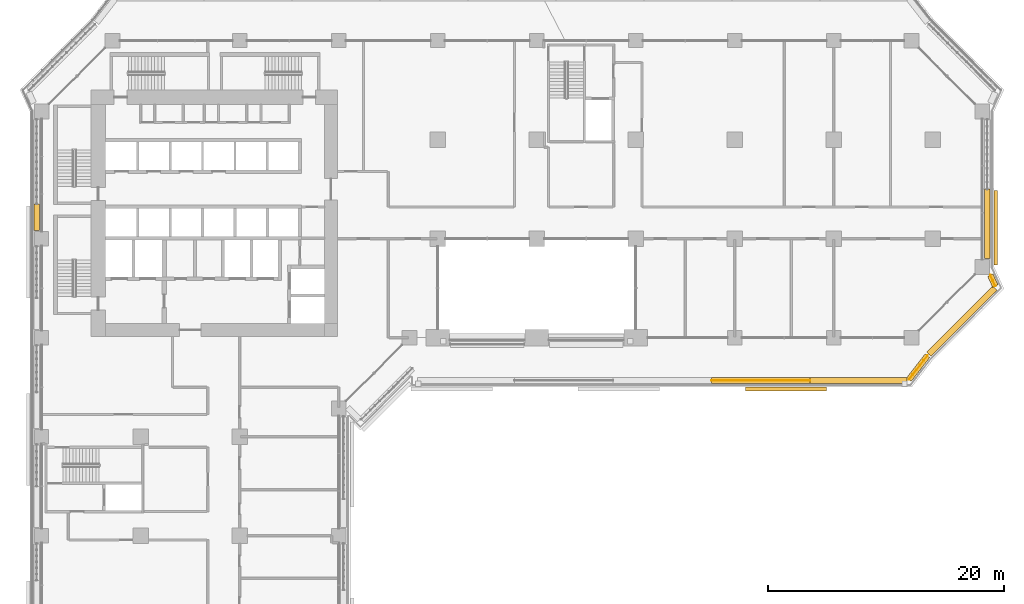
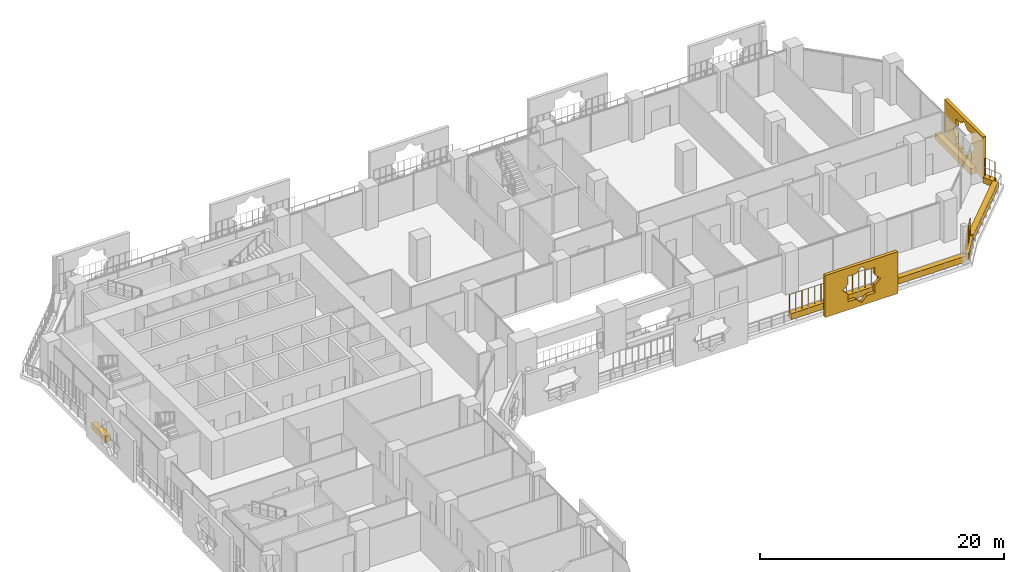
# One storey, part 25 of 28: 9 coverings, 3 railings.
"""IFC4 building model written with IfcOpenShell, lengths in metres."""

import ifcopenshell
import ifcopenshell.guid

model = None  # the IFC model being written
_history = None  # IfcOwnerHistory: only IFC2X3 demands one
_inside = {}  # id of a spatial element -> (the spatial element, [elements in it])
_under = {}  # id of a project, library or spatial element -> (it, [spatial elements below it])
_declared = {}  # id of a project -> (the project, [libraries it declares])
_typed = {}  # id of a type object -> (the type object, [elements of that type])
_made_of = {}  # id of a material, layer set ... -> (it, [elements and type objects made of it])


def new_model(schema):
    """Start an empty IFC model of exactly this schema.

    Asked for "IFC4X3", IfcOpenShell would pick the latest addendum, in which some entities
    have other attributes; the version numbers below select the first issue.
    IFC2X3 requires an IfcOwnerHistory on every rooted entity: one is made here for all.
    """
    global model, _history
    if schema == "IFC4X3":
        model = ifcopenshell.file(schema_version=(4, 3, 0, 0))
    else:
        model = ifcopenshell.file(schema=schema)
    _inside.clear()
    _under.clear()
    _declared.clear()
    _typed.clear()
    _made_of.clear()
    _history = None
    if model.schema == "IFC2X3":
        org = make("IfcOrganization", Name="unknown")
        user = make(
            "IfcPersonAndOrganization",
            ThePerson=make("IfcPerson", FamilyName="unknown"),
            TheOrganization=org,
        )
        app = make(
            "IfcApplication",
            ApplicationDeveloper=org,
            Version="unknown",
            ApplicationFullName="unknown",
            ApplicationIdentifier="unknown",
        )
        _history = make(
            "IfcOwnerHistory",
            OwningUser=user,
            OwningApplication=app,
            ChangeAction="ADDED",
            CreationDate=0,
        )
    return model


def make(cls, **values):
    """One entity of the class cls with the attributes given. An attribute that is None is left unset."""
    return model.create_entity(
        cls, **{name: value for name, value in values.items() if value is not None}
    )


def rooted(cls, **values):
    """An entity with a GlobalId (a new one), such as an element, a storey or a relation."""
    return make(cls, GlobalId=ifcopenshell.guid.new(), OwnerHistory=_history, **values)


def si_unit(unit_type, name, prefix=None):
    """IfcSIUnit, for example si_unit("LENGTHUNIT", "METRE", prefix="MILLI")."""
    return make("IfcSIUnit", UnitType=unit_type, Prefix=prefix, Name=name)


def assignment(units):
    """IfcUnitAssignment: the units of a project."""
    return None if units is None else make("IfcUnitAssignment", Units=units)


def point(xyz):
    """IfcCartesianPoint."""
    return None if xyz is None else make("IfcCartesianPoint", Coordinates=xyz)


def direction(xyz):
    """IfcDirection."""
    return None if xyz is None else make("IfcDirection", DirectionRatios=xyz)


def frame(location, z_axis=None, x_axis=None):
    """IfcAxis2Placement3D, a coordinate frame: its origin and axes. An axis left out is left unset."""
    return make(
        "IfcAxis2Placement3D",
        Location=point(location),
        Axis=direction(z_axis),
        RefDirection=direction(x_axis),
    )


def frame_2d(location, x_axis=None):
    """IfcAxis2Placement2D, a coordinate frame in the plane: its origin and x axis."""
    return make(
        "IfcAxis2Placement2D", Location=point(location), RefDirection=direction(x_axis)
    )


def origin():
    """The frame at (0, 0, 0) with its axes left unset."""
    return frame((0.0, 0.0, 0.0))


def origin_2d():
    """The frame at (0, 0) in the plane with its x axis left unset."""
    return frame_2d((0.0, 0.0))


def place(relative_to, where):
    """IfcLocalPlacement: puts the frame where relative to a parent placement (None: the world)."""
    return make(
        "IfcLocalPlacement", PlacementRelTo=relative_to, RelativePlacement=where
    )


def context(
    kind, dimensions, precision=None, world=None, true_north=None, identifier=None
):
    """IfcGeometricRepresentationContext, for example the 3D "Model" context."""
    return make(
        "IfcGeometricRepresentationContext",
        ContextIdentifier=identifier,
        ContextType=kind,
        CoordinateSpaceDimension=dimensions,
        Precision=precision,
        WorldCoordinateSystem=world,
        TrueNorth=true_north,
    )


def subcontext(parent, identifier, kind, view, scale=None):
    """IfcGeometricRepresentationSubContext, for example "Body" below "Model"."""
    return make(
        "IfcGeometricRepresentationSubContext",
        ContextIdentifier=identifier,
        ContextType=kind,
        ParentContext=parent,
        TargetScale=scale,
        TargetView=view,
    )


def project(units=None, contexts=None):
    """IfcProject with its units and contexts."""
    return rooted(
        "IfcProject",
        Name="project",
        RepresentationContexts=contexts,
        UnitsInContext=assignment(units),
    )


def spatial(cls, under=None, at=None, **own):
    """A site, building, storey or space (cls), placed at a placement, below another one or the project."""
    s = rooted(cls, ObjectPlacement=at, **own)
    if under is not None:
        _under.setdefault(under.id(), (under, []))[1].append(s)
    return s


def polyline(points):
    """IfcPolyline through the points."""
    return make("IfcPolyline", Points=[point(p) for p in points])


def profile(cls, at=None, kind="AREA", **sizes):
    """A parametric profile (cls). Its sizes go by their IFC names, for example OverallWidth=200.0."""
    return make(cls, ProfileType=kind, Position=at, **sizes)


def rectangle(**sizes):
    """IfcRectangleProfileDef."""
    return profile("IfcRectangleProfileDef", **sizes)


def circle(**sizes):
    """IfcCircleProfileDef."""
    return profile("IfcCircleProfileDef", **sizes)


def outline(outer, holes=None, kind="AREA"):
    """IfcArbitraryClosedProfileDef: a profile drawn as a closed curve; with holes, ...WithVoids."""
    if holes is None:
        return make("IfcArbitraryClosedProfileDef", ProfileType=kind, OuterCurve=outer)
    return make(
        "IfcArbitraryProfileDefWithVoids",
        ProfileType=kind,
        OuterCurve=outer,
        InnerCurves=holes,
    )


def extrude(swept, where, along, depth):
    """IfcExtrudedAreaSolid: the profile swept, set in the frame where, extruded along a direction by depth."""
    return make(
        "IfcExtrudedAreaSolid",
        SweptArea=swept,
        Position=where,
        ExtrudedDirection=direction(along),
        Depth=depth,
    )


def shape(context_of_items, identifier, shape_type, items):
    """IfcShapeRepresentation: the items that make up one representation, for example the "Body"."""
    return make(
        "IfcShapeRepresentation",
        ContextOfItems=context_of_items,
        RepresentationIdentifier=identifier,
        RepresentationType=shape_type,
        Items=items,
    )


def material(Name=None, Category=None):
    """IfcMaterial."""
    return make("IfcMaterial", Name=Name, Category=Category)


def material_profile(
    of_material, cross_section, Name=None, Category=None, Priority=None
):
    """IfcMaterialProfile: a cross section and its material."""
    return make(
        "IfcMaterialProfile",
        Name=Name,
        Material=of_material,
        Profile=cross_section,
        Priority=Priority,
        Category=Category,
    )


def profile_set(profiles, Name=None, composite=None):
    """IfcMaterialProfileSet."""
    return make(
        "IfcMaterialProfileSet",
        Name=Name,
        MaterialProfiles=profiles,
        CompositeProfile=composite,
    )


def made_of(thing, what):
    """Note that an element or type object is made of a material, layer set ...; save() writes the relation."""
    if what is not None:
        _made_of.setdefault(what.id(), (what, []))[1].append(thing)
    return thing


def type_object(cls, material=None, **own):
    """A type object (cls), such as IfcWallType, which elements share."""
    return made_of(rooted(cls, **own), material)


def element(
    cls,
    number,
    at=None,
    inside=None,
    cuts=None,
    type_object=None,
    material=None,
    context=None,
    identifier="Body",
    shape_type=None,
    held_by="IfcProductDefinitionShape",
    body=None,
    shapes=None,
    **own,
):
    """One element of the class cls, such as IfcWall. Its Tag is "e" and its number.

    at: its placement. inside: the storey or other place that contains it. cuts: it is an
    opening in that element (IfcRelVoidsElement). A single representation is given by context,
    identifier, shape_type and body (its items); several are given by shapes. held_by: the class
    of the entity that holds the representations. save() writes the other relations.
    """
    e = rooted(cls, Tag="e%d" % number, ObjectPlacement=at, **own)
    if body is not None:
        shapes = [shape(context, identifier, shape_type, body)]
    if shapes is not None:
        e.Representation = make(held_by, Representations=shapes)
    if inside is not None:
        _inside.setdefault(inside.id(), (inside, []))[1].append(e)
    if cuts is not None:
        rooted(
            "IfcRelVoidsElement", RelatingBuildingElement=cuts, RelatedOpeningElement=e
        )
    if type_object is not None:
        _typed.setdefault(type_object.id(), (type_object, []))[1].append(e)
    return made_of(e, material)


def aggregate(whole, parts):
    """IfcRelAggregates: a whole, such as a stair, and the parts it consists of."""
    return rooted("IfcRelAggregates", RelatingObject=whole, RelatedObjects=parts)


def save(model, path):
    """Write the relations noted so far, then the file.

    IfcRelAggregates (storeys below a building ...), IfcRelContainedInSpatialStructure (elements
    in a storey), IfcRelDefinesByType, IfcRelAssociatesMaterial and IfcRelDeclares: one each for
    every whole, place, type object, material and project.
    """
    for whole, parts in _under.values():
        aggregate(whole, parts)
    for where, things in _inside.values():
        rooted(
            "IfcRelContainedInSpatialStructure",
            RelatedElements=things,
            RelatingStructure=where,
        )
    for kind, things in _typed.values():
        rooted("IfcRelDefinesByType", RelatedObjects=things, RelatingType=kind)
    for what, things in _made_of.values():
        rooted("IfcRelAssociatesMaterial", RelatedObjects=things, RelatingMaterial=what)
    for by, libraries in _declared.values():
        rooted("IfcRelDeclares", RelatingContext=by, RelatedDefinitions=libraries)
    model.write(path)


model = new_model("IFC4")

# Units and contexts
model_context = context("Model", 3, precision=1e-05, world=origin(), true_north=direction((0.0, 1.0)))
body_context = subcontext(model_context, "Body", "Model", "MODEL_VIEW")
ifc_project = project(units=[si_unit("LENGTHUNIT", "METRE"), si_unit("AREAUNIT", "SQUARE_METRE"), si_unit("VOLUMEUNIT", "CUBIC_METRE"), si_unit("PLANEANGLEUNIT", "RADIAN"), si_unit("MASSUNIT", "GRAM", prefix="KILO")], contexts=[model_context])

# Site, building, storey
site_placement = place(None, origin())
site = spatial("IfcSite", under=ifc_project, at=site_placement, CompositionType="ELEMENT")
building_placement = place(site_placement, origin())
building = spatial("IfcBuilding", under=site, at=building_placement, Name="Kawkab Arch Medical Tower", CompositionType="ELEMENT")
storey_placement = place(building_placement, frame((0.0, 0.0, 47.60009765625)))
storey = spatial("IfcBuildingStorey", under=building, at=storey_placement, Name="L10", CompositionType="ELEMENT", Elevation=47.60009765625)

# Coverings
ifc_material_1 = material(Name="Bronze anodised aluminium mashrabiya panel, eight-point star pattern", Category="aluminium")
ifc_material_profile_1 = material_profile(ifc_material_1, outline(polyline([(-3.14990234375, -2.10009765625), (3.14990234375, -2.10009765625), (3.14990234375, 2.10009765625), (-3.14990234375, 2.10009765625), (-3.14990234375, -2.10009765625)]), holes=[polyline([(1.800048828125, 0.0), (1.272705078125, 0.527099609375), (1.272705078125, 1.272705078125), (0.527099609375, 1.272705078125), (0.0, 1.800048828125), (-0.527099609375, 1.272705078125), (-1.272705078125, 1.272705078125), (-1.272705078125, 0.527099609375), (-1.800048828125, 0.0), (-1.272705078125, -0.527099609375), (-1.272705078125, -1.272705078125), (-0.527099609375, -1.272705078125), (0.0, -1.800048828125), (0.527099609375, -1.272705078125), (1.272705078125, -1.272705078125), (1.272705078125, -0.527099609375), (1.800048828125, 0.0)])]), Name="Mashrabiya panel 6300x4200")
ifc_profile_set_1 = profile_set([ifc_material_profile_1], Name="Bronze anodised aluminium mashrabiya panel, eight-point star pattern")
covering_type_1 = type_object("IfcCoveringType", Name="Mashrabiya panel 6300 x 4200", PredefinedType="USERDEFINED", material=ifc_profile_set_1)
covering_1_placement = place(storey_placement, frame((80.800048828125, -15.881103515625, 1.699951171875), z_axis=(1.0, 0.0, 0.0), x_axis=(0.0, 1.0, 0.0)))
element("IfcCovering", 1, at=covering_1_placement, inside=storey, type_object=covering_type_1, Name="Mashrabiya panel L10.LOG-01-02.9", ObjectType="SCREEN", PredefinedType="USERDEFINED", context=body_context, shape_type="SweptSolid", body=[
    extrude(outline(polyline([(-3.14990234375, -2.10009765625), (3.14990234375, -2.10009765625), (3.14990234375, 2.10009765625), (-3.14990234375, 2.10009765625), (-3.14990234375, -2.10009765625)]), holes=[polyline([(1.800048828125, 0.0), (1.272705078125, 0.527099609375), (1.272705078125, 1.272705078125), (0.527099609375, 1.272705078125), (0.0, 1.800048828125), (-0.527099609375, 1.272705078125), (-1.272705078125, 1.272705078125), (-1.272705078125, 0.527099609375), (-1.800048828125, 0.0), (-1.272705078125, -0.527099609375), (-1.272705078125, -1.272705078125), (-0.527099609375, -1.272705078125), (0.0, -1.800048828125), (0.527099609375, -1.272705078125), (1.272705078125, -1.272705078125), (1.272705078125, -0.527099609375), (1.800048828125, 0.0)])]), origin(), (0.0, 0.0, 1.0), 0.300048828125),
])
ifc_material_2 = material(Name="Bronze anodised aluminium mashrabiya panel, eight-point star pattern", Category="aluminium")
ifc_material_profile_2 = material_profile(ifc_material_2, outline(polyline([(-3.449951171875, -2.10009765625), (3.449951171875, -2.10009765625), (3.449951171875, 2.10009765625), (-3.449951171875, 2.10009765625), (-3.449951171875, -2.10009765625)]), holes=[polyline([(1.800048828125, 0.0), (1.272705078125, 0.527099609375), (1.272705078125, 1.272705078125), (0.527099609375, 1.272705078125), (0.0, 1.800048828125), (-0.527099609375, 1.272705078125), (-1.272705078125, 1.272705078125), (-1.272705078125, 0.527099609375), (-1.800048828125, 0.0), (-1.272705078125, -0.527099609375), (-1.272705078125, -1.272705078125), (-0.527099609375, -1.272705078125), (0.0, -1.800048828125), (0.527099609375, -1.272705078125), (1.272705078125, -1.272705078125), (1.272705078125, -0.527099609375), (1.800048828125, 0.0)])]), Name="Mashrabiya panel 6900x4200")
ifc_profile_set_2 = profile_set([ifc_material_profile_2], Name="Bronze anodised aluminium mashrabiya panel, eight-point star pattern")
covering_type_2 = type_object("IfcCoveringType", Name="Mashrabiya panel 6900 x 4200", PredefinedType="USERDEFINED", material=ifc_profile_set_2)
covering_2_placement = place(storey_placement, frame((63.148681640625, -29.39990234375, 1.699951171875), z_axis=(0.0, -1.0, 0.0), x_axis=(1.0, 0.0, 0.0)))
element("IfcCovering", 2, at=covering_2_placement, inside=storey, type_object=covering_type_2, Name="Mashrabiya panel L10.LOG-01-02.10", ObjectType="SCREEN", PredefinedType="USERDEFINED", context=body_context, shape_type="SweptSolid", body=[
    extrude(outline(polyline([(-3.449951171875, -2.10009765625), (3.449951171875, -2.10009765625), (3.449951171875, 2.10009765625), (-3.449951171875, 2.10009765625), (-3.449951171875, -2.10009765625)]), holes=[polyline([(1.800048828125, 0.0), (1.272705078125, 0.527099609375), (1.272705078125, 1.272705078125), (0.527099609375, 1.272705078125), (0.0, 1.800048828125), (-0.527099609375, 1.272705078125), (-1.272705078125, 1.272705078125), (-1.272705078125, 0.527099609375), (-1.800048828125, 0.0), (-1.272705078125, -0.527099609375), (-1.272705078125, -1.272705078125), (-0.527099609375, -1.272705078125), (0.0, -1.800048828125), (0.527099609375, -1.272705078125), (1.272705078125, -1.272705078125), (1.272705078125, -0.527099609375), (1.800048828125, 0.0)])]), origin(), (0.0, 0.0, 1.0), 0.300048828125),
])
ifc_material_3 = material(Name="Planting soil in a precast trough", Category="concrete")
ifc_material_profile_3 = material_profile(ifc_material_3, rectangle(XDim=0.5, YDim=0.60009765625, at=origin_2d()), Name="Trough 500x600")
ifc_profile_set_3 = profile_set([ifc_material_profile_3], Name="Planting soil in a precast trough")
covering_type_3 = type_object("IfcCoveringType", Name="Planter trough 500 x 600", PredefinedType="USERDEFINED", material=ifc_profile_set_3)
covering_3_placement = place(storey_placement, frame((-0.419921875, -16.1201171875, 0.2998046875), z_axis=(0.0, 1.0, 0.0), x_axis=(-1.0, 0.0, 0.0)))
element("IfcCovering", 3, at=covering_3_placement, inside=storey, type_object=covering_type_3, Name="Planter L10.LOG-01-02.20", ObjectType="PLANTER", PredefinedType="USERDEFINED", context=body_context, shape_type="SweptSolid", body=[
    extrude(rectangle(XDim=0.5, YDim=0.60009765625, at=origin_2d()), origin(), (0.0, 0.0, 1.0), 2.26416015625),
])
covering_4_placement = place(storey_placement, frame((80.219970703125, -12.60009765625, 0.2998046875), z_axis=(0.0, -1.0, 0.0), x_axis=(1.0, 0.0, 0.0)))
element("IfcCovering", 4, at=covering_4_placement, inside=storey, type_object=covering_type_3, Name="Planter L10.LOG-01-02.38", ObjectType="PLANTER", PredefinedType="USERDEFINED", context=body_context, shape_type="SweptSolid", body=[
    extrude(rectangle(XDim=0.5, YDim=0.60009765625, at=origin_2d()), origin(), (0.0, 0.0, 1.0), 5.89501953125),
])
covering_5_placement = place(storey_placement, frame((80.48095703125, -19.89794921875, 0.2998046875), z_axis=(0.415071571878, -0.909788761317, 0.0), x_axis=(0.909788761317, 0.415071571878, 0.0)))
element("IfcCovering", 5, at=covering_5_placement, inside=storey, type_object=covering_type_3, Name="Planter L10.LOG-01-02.39", ObjectType="PLANTER", PredefinedType="USERDEFINED", context=body_context, shape_type="SweptSolid", body=[
    extrude(rectangle(XDim=0.5, YDim=0.60009765625, at=origin_2d()), origin(), (0.0, 0.0, 1.0), 1.0146484375),
])
covering_6_placement = place(storey_placement, frame((80.873046875, -20.98291015625, 0.2998046875), z_axis=(-0.707106781187, -0.707106781187, 0.0), x_axis=(0.707106781187, -0.707106781187, 0.0)))
element("IfcCovering", 6, at=covering_6_placement, inside=storey, type_object=covering_type_3, Name="Planter L10.LOG-01-02.40", ObjectType="PLANTER", PredefinedType="USERDEFINED", context=body_context, shape_type="SweptSolid", body=[
    extrude(rectangle(XDim=0.5, YDim=0.60009765625, at=origin_2d()), origin(), (0.0, 0.0, 1.0), 7.919677734375),
])
covering_7_placement = place(storey_placement, frame((75.14111328125, -26.73193359375, 0.2998046875), z_axis=(-0.614099956103, -0.789228258436, 0.0), x_axis=(0.789228258436, -0.614099956103, 0.0)))
element("IfcCovering", 7, at=covering_7_placement, inside=storey, type_object=covering_type_3, Name="Planter L10.LOG-01-02.41", ObjectType="PLANTER", PredefinedType="USERDEFINED", context=body_context, shape_type="SweptSolid", body=[
    extrude(rectangle(XDim=0.5, YDim=0.60009765625, at=origin_2d()), origin(), (0.0, 0.0, 1.0), 2.545654296875),
])
covering_8_placement = place(storey_placement, frame((73.416015625, -28.820068359375, 0.2998046875), z_axis=(-1.0, 0.0, 0.0), x_axis=(0.0, -1.0, 0.0)))
element("IfcCovering", 8, at=covering_8_placement, inside=storey, type_object=covering_type_3, Name="Planter L10.LOG-01-02.42", ObjectType="PLANTER", PredefinedType="USERDEFINED", context=body_context, shape_type="SweptSolid", body=[
    extrude(rectangle(XDim=0.5, YDim=0.60009765625, at=origin_2d()), origin(), (0.0, 0.0, 1.0), 8.2470703125),
])
covering_9_placement = place(storey_placement, frame((65.1689453125, -28.820068359375, 0.2998046875), z_axis=(-1.0, 0.0, 0.0), x_axis=(0.0, -1.0, 0.0)))
element("IfcCovering", 9, at=covering_9_placement, inside=storey, type_object=covering_type_3, Name="Planter L10.LOG-01-02.43", ObjectType="PLANTER", PredefinedType="USERDEFINED", context=body_context, shape_type="SweptSolid", body=[
    extrude(rectangle(XDim=0.5, YDim=0.60009765625, at=origin_2d()), origin(), (0.0, 0.0, 1.0), 8.346923828125),
])

# Railings
ifc_material_4 = material(Name="Bronze anodised aluminium trellis for climbing plants", Category="aluminium")
railing_type = type_object("IfcRailingType", Name="Planting trellis 2400", PredefinedType="USERDEFINED", material=ifc_material_4)
railing_1_placement = place(storey_placement, frame((80.48095703125, -19.89794921875, 0.0)))
element("IfcRailing", 10, at=railing_1_placement, inside=storey, type_object=railing_type, Name="Planting trellis L10.LOG-01-02.39", ObjectType="TRELLIS", PredefinedType="USERDEFINED", context=body_context, shape_type="SweptSolid", body=[
    extrude(circle(Radius=0.01513671875, at=origin_2d()), frame((0.0, 0.0, 2.384765625), z_axis=(0.415071571878, -0.909788761317, 0.0), x_axis=(0.909788761317, 0.415071571878, 0.0)), (0.0, 0.0, 1.0), 1.0146484375),
    extrude(circle(Radius=0.030029296875, at=origin_2d()), origin(), (0.0, 0.0, 1.0), 2.369873046875),
    extrude(circle(Radius=0.030029296875, at=origin_2d()), frame((0.21044921875, -0.46142578125, 0.0)), (0.0, 0.0, 1.0), 2.369873046875),
    extrude(circle(Radius=0.030029296875, at=origin_2d()), frame((0.421142578125, -0.923095703125, 0.0)), (0.0, 0.0, 1.0), 2.369873046875),
])
railing_2_placement = place(storey_placement, frame((75.14111328125, -26.73193359375, 0.0)))
element("IfcRailing", 11, at=railing_2_placement, inside=storey, type_object=railing_type, Name="Planting trellis L10.LOG-01-02.41", ObjectType="TRELLIS", PredefinedType="USERDEFINED", context=body_context, shape_type="SweptSolid", body=[
    extrude(circle(Radius=0.01513671875, at=origin_2d()), frame((0.0, 0.0, 2.384765625), z_axis=(-0.614099956103, -0.789228258436, 0.0), x_axis=(0.789228258436, -0.614099956103, 0.0)), (0.0, 0.0, 1.0), 2.545654296875),
    extrude(circle(Radius=0.030029296875, at=origin_2d()), origin(), (0.0, 0.0, 1.0), 2.369873046875),
    extrude(circle(Radius=0.030029296875, at=origin_2d()), frame((-0.312744140625, -0.40185546875, 0.0)), (0.0, 0.0, 1.0), 2.369873046875),
    extrude(circle(Radius=0.030029296875, at=origin_2d()), frame((-0.625244140625, -0.8037109375, 0.0)), (0.0, 0.0, 1.0), 2.369873046875),
    extrude(circle(Radius=0.030029296875, at=origin_2d()), frame((-0.93798828125, -1.205322265625, 0.0)), (0.0, 0.0, 1.0), 2.369873046875),
    extrude(circle(Radius=0.030029296875, at=origin_2d()), frame((-1.25048828125, -1.607177734375, 0.0)), (0.0, 0.0, 1.0), 2.369873046875),
    extrude(circle(Radius=0.030029296875, at=origin_2d()), frame((-1.563232421875, -2.009033203125, 0.0)), (0.0, 0.0, 1.0), 2.369873046875),
])
railing_3_placement = place(storey_placement, frame((65.1689453125, -28.820068359375, 0.0)))
element("IfcRailing", 12, at=railing_3_placement, inside=storey, type_object=railing_type, Name="Planting trellis L10.LOG-01-02.43", ObjectType="TRELLIS", PredefinedType="USERDEFINED", context=body_context, shape_type="SweptSolid", body=[
    extrude(circle(Radius=0.01513671875, at=origin_2d()), frame((0.0, 0.0, 2.384765625), z_axis=(-1.0, 0.0, 0.0), x_axis=(0.0, -1.0, 0.0)), (0.0, 0.0, 1.0), 8.346923828125),
    extrude(circle(Radius=0.030029296875, at=origin_2d()), origin(), (0.0, 0.0, 1.0), 2.369873046875),
    extrude(circle(Radius=0.030029296875, at=origin_2d()), frame((-0.59619140625, 0.0, 0.0)), (0.0, 0.0, 1.0), 2.369873046875),
    extrude(circle(Radius=0.030029296875, at=origin_2d()), frame((-1.1923828125, 0.0, 0.0)), (0.0, 0.0, 1.0), 2.369873046875),
    extrude(circle(Radius=0.030029296875, at=origin_2d()), frame((-1.78857421875, 0.0, 0.0)), (0.0, 0.0, 1.0), 2.369873046875),
    extrude(circle(Radius=0.030029296875, at=origin_2d()), frame((-2.384765625, 0.0, 0.0)), (0.0, 0.0, 1.0), 2.369873046875),
    extrude(circle(Radius=0.030029296875, at=origin_2d()), frame((-2.98095703125, 0.0, 0.0)), (0.0, 0.0, 1.0), 2.369873046875),
    extrude(circle(Radius=0.030029296875, at=origin_2d()), frame((-3.5771484375, 0.0, 0.0)), (0.0, 0.0, 1.0), 2.369873046875),
    extrude(circle(Radius=0.030029296875, at=origin_2d()), frame((-4.17333984375, 0.0, 0.0)), (0.0, 0.0, 1.0), 2.369873046875),
    extrude(circle(Radius=0.030029296875, at=origin_2d()), frame((-4.769775390625, 0.0, 0.0)), (0.0, 0.0, 1.0), 2.369873046875),
    extrude(circle(Radius=0.030029296875, at=origin_2d()), frame((-5.365966796875, 0.0, 0.0)), (0.0, 0.0, 1.0), 2.369873046875),
    extrude(circle(Radius=0.030029296875, at=origin_2d()), frame((-5.962158203125, 0.0, 0.0)), (0.0, 0.0, 1.0), 2.369873046875),
    extrude(circle(Radius=0.030029296875, at=origin_2d()), frame((-6.558349609375, 0.0, 0.0)), (0.0, 0.0, 1.0), 2.369873046875),
    extrude(circle(Radius=0.030029296875, at=origin_2d()), frame((-7.154541015625, 0.0, 0.0)), (0.0, 0.0, 1.0), 2.369873046875),
    extrude(circle(Radius=0.030029296875, at=origin_2d()), frame((-7.750732421875, 0.0, 0.0)), (0.0, 0.0, 1.0), 2.369873046875),
    extrude(circle(Radius=0.030029296875, at=origin_2d()), frame((-8.346923828125, 0.0, 0.0)), (0.0, 0.0, 1.0), 2.369873046875),
])

save(model, "model.ifc")
